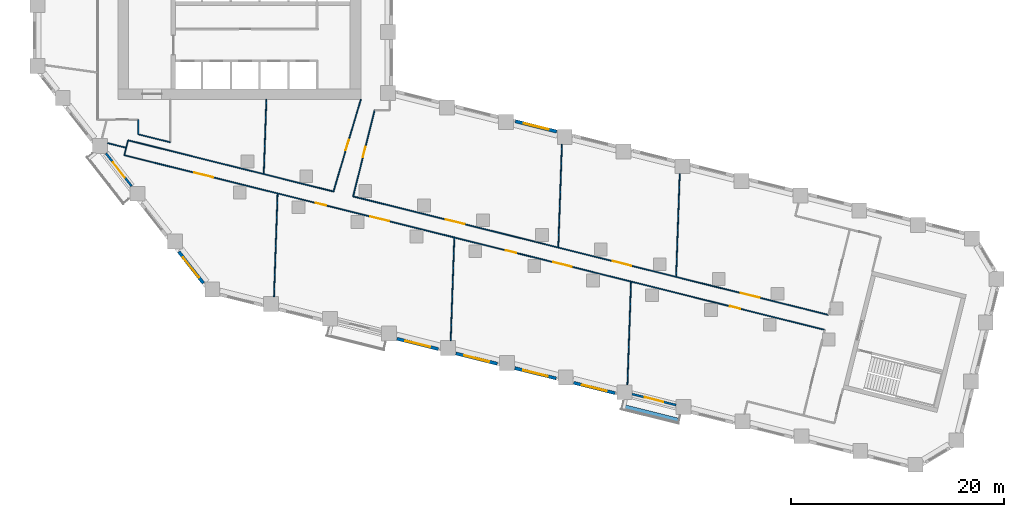
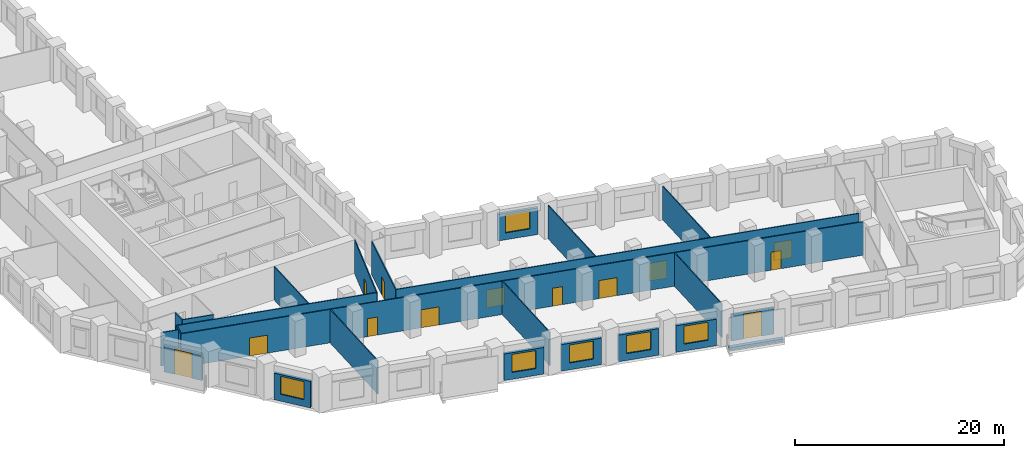
# One storey, part 3 of 11: 24 walls, 13 doors, 6 windows, 19 openings.
"""IFC4 building model written with IfcOpenShell, lengths in metres."""

from ifc_helpers import new_model, si_unit, direction, frame, frame_2d, origin, place, context, subcontext, project, spatial, rectangle, extrude, material, layer, layer_set, type_object, element, fill, save


model = new_model("IFC4")

# Units and contexts
model_context = context("Model", 3, precision=1e-05, world=origin(), true_north=direction((0.0, 1.0)))
body_context = subcontext(model_context, "Body", "Model", "MODEL_VIEW")
ifc_project = project(units=[si_unit("LENGTHUNIT", "METRE"), si_unit("AREAUNIT", "SQUARE_METRE"), si_unit("VOLUMEUNIT", "CUBIC_METRE"), si_unit("PLANEANGLEUNIT", "RADIAN"), si_unit("MASSUNIT", "GRAM", prefix="KILO")], contexts=[model_context])

# Site, building, storey
site_placement = place(None, origin())
site = spatial("IfcSite", under=ifc_project, at=site_placement, CompositionType="ELEMENT")
building_placement = place(site_placement, origin())
building = spatial("IfcBuilding", under=site, at=building_placement, Name="Meshkara Civic Tower", CompositionType="ELEMENT")
storey_placement = place(building_placement, frame((0.0, 0.0, 79.199951171875)))
storey = spatial("IfcBuildingStorey", under=building, at=storey_placement, Name="L17", CompositionType="ELEMENT", Elevation=79.199951171875)

# Wall, openings, doors
ifc_material_1 = material(Name="Corridor wall 100")
ifc_layer_1 = layer(ifc_material_1, 0.10009765625)
ifc_layer_set_1 = layer_set([ifc_layer_1], Name="Corridor wall 100")
wall_type_1 = type_object("IfcWallType", Name="Corridor wall 100", PredefinedType="PARTITIONING", material=ifc_layer_set_1)
wall_1_placement = place(storey_placement, frame((8.593994140625, 8.862060546875, 0.0), z_axis=(0.0, 0.0, 1.0), x_axis=(0.970293392615, -0.241931255211, 0.0)))
wall_1 = element("IfcWall", 1, at=wall_1_placement, inside=storey, type_object=wall_type_1, Name="L17-W007", PredefinedType="PARTITIONING", context=body_context, shape_type="SweptSolid", body=[
    extrude(rectangle(XDim=67.775390625, YDim=0.10009765625, at=frame_2d((33.8876953125, 0.0))), origin(), (0.0, 0.0, 1.0), 3.900146484375),
])
opening_1_placement = place(wall_1_placement, frame((36.910888671875, 0.0, 0.0)))
opening_1 = element("IfcOpeningElement", 2, at=opening_1_placement, cuts=wall_1, Name="Opening L17-D003", PredefinedType="OPENING", context=body_context, shape_type="SweptSolid", body=[
    extrude(rectangle(XDim=1.0, YDim=2.10009765625, at=frame_2d((0.5, 1.050048828125))), frame((0.0, 0.06005859375, 0.0), z_axis=(0.0, -1.0, 0.0), x_axis=(1.0, 0.0, 0.0)), (0.0, 0.0, 1.0), 0.1201171875),
])
opening_2_placement = place(wall_1_placement, frame((41.510986328125, 0.0, 0.0)))
opening_2 = element("IfcOpeningElement", 3, at=opening_2_placement, cuts=wall_1, Name="Opening L17-D004", PredefinedType="OPENING", context=body_context, shape_type="SweptSolid", body=[
    extrude(rectangle(XDim=1.800048828125, YDim=2.10009765625, at=frame_2d((0.89990234375, 1.050048828125))), frame((0.0, 0.06005859375, 0.0), z_axis=(0.0, -1.0, 0.0), x_axis=(1.0, 0.0, 0.0)), (0.0, 0.0, 1.0), 0.1201171875),
])
opening_3_placement = place(wall_1_placement, frame((58.611083984375, 0.0, 0.0)))
opening_3 = element("IfcOpeningElement", 4, at=opening_3_placement, cuts=wall_1, Name="Opening L17-D006", PredefinedType="OPENING", context=body_context, shape_type="SweptSolid", body=[
    extrude(rectangle(XDim=1.0, YDim=2.10009765625, at=frame_2d((0.5, 1.050048828125))), frame((0.0, 0.06005859375, 0.0), z_axis=(0.0, -1.0, 0.0), x_axis=(1.0, 0.0, 0.0)), (0.0, 0.0, 1.0), 0.1201171875),
])
opening_4_placement = place(wall_1_placement, frame((18.510986328125, 0.0, 0.0)))
opening_4 = element("IfcOpeningElement", 5, at=opening_4_placement, cuts=wall_1, Name="Opening L17-D009", PredefinedType="OPENING", context=body_context, shape_type="SweptSolid", body=[
    extrude(rectangle(XDim=1.0, YDim=2.10009765625, at=frame_2d((0.5, 1.050048828125))), frame((0.0, 0.06005859375, 0.0), z_axis=(0.0, -1.0, 0.0), x_axis=(1.0, 0.0, 0.0)), (0.0, 0.0, 1.0), 0.1201171875),
])
opening_5_placement = place(wall_1_placement, frame((23.81103515625, 0.0, 0.0)))
opening_5 = element("IfcOpeningElement", 6, at=opening_5_placement, cuts=wall_1, Name="Opening L17-D010", PredefinedType="OPENING", context=body_context, shape_type="SweptSolid", body=[
    extrude(rectangle(XDim=1.800048828125, YDim=2.10009765625, at=frame_2d((0.89990234375, 1.050048828125))), frame((0.0, 0.06005859375, 0.0), z_axis=(0.0, -1.0, 0.0), x_axis=(1.0, 0.0, 0.0)), (0.0, 0.0, 1.0), 0.1201171875),
])
opening_6_placement = place(wall_1_placement, frame((6.780029296875, 0.0, 0.0)))
opening_6 = element("IfcOpeningElement", 7, at=opening_6_placement, cuts=wall_1, Name="Opening L17-D013", PredefinedType="OPENING", context=body_context, shape_type="SweptSolid", body=[
    extrude(rectangle(XDim=1.800048828125, YDim=2.10009765625, at=frame_2d((0.89990234375, 1.050048828125))), frame((0.0, 0.06005859375, 0.0), z_axis=(0.0, -1.0, 0.0), x_axis=(1.0, 0.0, 0.0)), (0.0, 0.0, 1.0), 0.1201171875),
])
ifc_material_2 = material(Name="Door 1000 x 2100")
door_type_1 = type_object("IfcDoorType", Name="Door 1000 x 2100", OperationType="SINGLE_SWING_LEFT", PredefinedType="DOOR", material=ifc_material_2)
door_1_placement = place(opening_1_placement, origin())
door_1 = element("IfcDoor", 8, at=door_1_placement, inside=storey, type_object=door_type_1, Name="L17-D003", OperationType="SINGLE_SWING_RIGHT", OverallHeight=2.10009765625, OverallWidth=1.0, PredefinedType="DOOR", context=body_context, shape_type="SweptSolid", body=[
    extrude(rectangle(XDim=1.0, YDim=2.10009765625, at=frame_2d((0.5, 1.050048828125))), frame((0.0, 0.02490234375, 0.0), z_axis=(0.0, -1.0, 0.0), x_axis=(1.0, 0.0, 0.0)), (0.0, 0.0, 1.0), 0.050048828125),
])
fill(opening_1, door_1)
door_2_placement = place(opening_3_placement, origin())
door_2 = element("IfcDoor", 9, at=door_2_placement, inside=storey, type_object=door_type_1, Name="L17-D006", OperationType="SINGLE_SWING_LEFT", OverallHeight=2.10009765625, OverallWidth=1.0, PredefinedType="DOOR", context=body_context, shape_type="SweptSolid", body=[
    extrude(rectangle(XDim=1.0, YDim=2.10009765625, at=frame_2d((0.5, 1.050048828125))), frame((0.0, 0.02490234375, 0.0), z_axis=(0.0, -1.0, 0.0), x_axis=(1.0, 0.0, 0.0)), (0.0, 0.0, 1.0), 0.050048828125),
])
fill(opening_3, door_2)
door_3_placement = place(opening_4_placement, origin())
door_3 = element("IfcDoor", 10, at=door_3_placement, inside=storey, type_object=door_type_1, Name="L17-D009", OperationType="SINGLE_SWING_RIGHT", OverallHeight=2.10009765625, OverallWidth=1.0, PredefinedType="DOOR", context=body_context, shape_type="SweptSolid", body=[
    extrude(rectangle(XDim=1.0, YDim=2.10009765625, at=frame_2d((0.5, 1.050048828125))), frame((0.0, 0.02490234375, 0.0), z_axis=(0.0, -1.0, 0.0), x_axis=(1.0, 0.0, 0.0)), (0.0, 0.0, 1.0), 0.050048828125),
])
fill(opening_4, door_3)
ifc_material_3 = material(Name="Door pair 1800 x 2100")
door_type_2 = type_object("IfcDoorType", Name="Door pair 1800 x 2100", OperationType="SINGLE_SWING_LEFT", PredefinedType="DOOR", material=ifc_material_3)
door_4_placement = place(opening_2_placement, origin())
door_4 = element("IfcDoor", 11, at=door_4_placement, inside=storey, type_object=door_type_2, Name="L17-D004", OperationType="DOUBLE_DOOR_SINGLE_SWING", OverallHeight=2.10009765625, OverallWidth=1.800048828125, PredefinedType="DOOR", context=body_context, shape_type="SweptSolid", body=[
    extrude(rectangle(XDim=1.800048828125, YDim=2.10009765625, at=frame_2d((0.89990234375, 1.050048828125))), frame((0.0, 0.02490234375, 0.0), z_axis=(0.0, -1.0, 0.0), x_axis=(1.0, 0.0, 0.0)), (0.0, 0.0, 1.0), 0.050048828125),
])
fill(opening_2, door_4)
door_5_placement = place(opening_5_placement, origin())
door_5 = element("IfcDoor", 12, at=door_5_placement, inside=storey, type_object=door_type_2, Name="L17-D010", OperationType="DOUBLE_DOOR_SINGLE_SWING", OverallHeight=2.10009765625, OverallWidth=1.800048828125, PredefinedType="DOOR", context=body_context, shape_type="SweptSolid", body=[
    extrude(rectangle(XDim=1.800048828125, YDim=2.10009765625, at=frame_2d((0.89990234375, 1.050048828125))), frame((0.0, 0.02490234375, 0.0), z_axis=(0.0, -1.0, 0.0), x_axis=(1.0, 0.0, 0.0)), (0.0, 0.0, 1.0), 0.050048828125),
])
fill(opening_5, door_5)
door_6_placement = place(opening_6_placement, origin())
door_6 = element("IfcDoor", 13, at=door_6_placement, inside=storey, type_object=door_type_2, Name="L17-D013", OperationType="DOUBLE_DOOR_SINGLE_SWING", OverallHeight=2.10009765625, OverallWidth=1.800048828125, PredefinedType="DOOR", context=body_context, shape_type="SweptSolid", body=[
    extrude(rectangle(XDim=1.800048828125, YDim=2.10009765625, at=frame_2d((0.89990234375, 1.050048828125))), frame((0.0, 0.02490234375, 0.0), z_axis=(0.0, -1.0, 0.0), x_axis=(1.0, 0.0, 0.0)), (0.0, 0.0, 1.0), 0.050048828125),
])
fill(opening_6, door_6)

# Walls
wall_2_placement = place(storey_placement, frame((8.944091796875, 10.263916015625, 0.0), z_axis=(0.0, 0.0, 1.0), x_axis=(0.970300504447, -0.241902730595, 0.0)))
element("IfcWall", 14, at=wall_2_placement, inside=storey, type_object=wall_type_1, Name="L17-W008", PredefinedType="PARTITIONING", context=body_context, shape_type="SweptSolid", body=[
    extrude(rectangle(XDim=19.879150390625, YDim=0.10009765625, at=frame_2d((9.939453125, 0.0))), origin(), (0.0, 0.0, 1.0), 3.900146484375),
])
wall_3_placement = place(storey_placement, frame((8.944091796875, 10.263916015625, 0.0), z_axis=(0.0, 0.0, 1.0), x_axis=(-0.242297077633, -0.970202105837, 0.0)))
element("IfcWall", 15, at=wall_3_placement, inside=storey, type_object=wall_type_1, Name="L17-W009", PredefinedType="PARTITIONING", context=body_context, shape_type="SweptSolid", body=[
    extrude(rectangle(XDim=1.44482421875, YDim=0.10009765625, at=frame_2d((0.722412109375, 0.0))), origin(), (0.0, 0.0, 1.0), 3.900146484375),
])
wall_4_placement = place(storey_placement, frame((9.89990234375, 10.825927734375, 0.0), z_axis=(0.0, 0.0, 1.0), x_axis=(0.970290953223, -0.241941038466, 0.0)))
element("IfcWall", 16, at=wall_4_placement, inside=storey, type_object=wall_type_1, Name="L17-W010", PredefinedType="PARTITIONING", context=body_context, shape_type="SweptSolid", body=[
    extrude(rectangle(XDim=3.091796875, YDim=0.10009765625, at=frame_2d((1.5458984375, 0.0))), origin(), (0.0, 0.0, 1.0), 3.900146484375),
])
wall_5_placement = place(storey_placement, frame((9.89990234375, 12.199951171875, 0.0), z_axis=(0.0, 0.0, 1.0), x_axis=(0.0, -1.0, 0.0)))
element("IfcWall", 17, at=wall_5_placement, inside=storey, type_object=wall_type_1, Name="L17-W011", PredefinedType="PARTITIONING", context=body_context, shape_type="SweptSolid", body=[
    extrude(rectangle(XDim=1.3740234375, YDim=0.10009765625, at=frame_2d((0.68701171875, 0.0))), origin(), (0.0, 0.0, 1.0), 3.900146484375),
])

# Wall, openings, doors
wall_6_placement = place(storey_placement, frame((30.075927734375, 4.9951171875, 0.0), z_axis=(0.0, 0.0, 1.0), x_axis=(0.970296234935, -0.241919855469, 0.0)))
wall_6 = element("IfcWall", 18, at=wall_6_placement, inside=storey, type_object=wall_type_1, Name="L17-W020", PredefinedType="PARTITIONING", context=body_context, shape_type="SweptSolid", body=[
    extrude(rectangle(XDim=45.995361328125, YDim=0.10009765625, at=frame_2d((22.99755859375, 0.0))), origin(), (0.0, 0.0, 1.0), 3.900146484375),
])
opening_7_placement = place(wall_6_placement, frame((25.12109375, 0.0, 0.0)))
opening_7 = element("IfcOpeningElement", 19, at=opening_7_placement, cuts=wall_6, Name="Opening L17-D005", PredefinedType="OPENING", context=body_context, shape_type="SweptSolid", body=[
    extrude(rectangle(XDim=1.800048828125, YDim=2.10009765625, at=frame_2d((0.89990234375, 1.050048828125))), frame((0.0, 0.06005859375, 0.0), z_axis=(0.0, -1.0, 0.0), x_axis=(1.0, 0.0, 0.0)), (0.0, 0.0, 1.0), 0.1201171875),
])
opening_8_placement = place(wall_6_placement, frame((37.52001953125, 0.0, 0.0)))
opening_8 = element("IfcOpeningElement", 20, at=opening_8_placement, cuts=wall_6, Name="Opening L17-D007", PredefinedType="OPENING", context=body_context, shape_type="SweptSolid", body=[
    extrude(rectangle(XDim=1.800048828125, YDim=2.10009765625, at=frame_2d((0.89990234375, 1.050048828125))), frame((0.0, 0.06005859375, 0.0), z_axis=(0.0, -1.0, 0.0), x_axis=(1.0, 0.0, 0.0)), (0.0, 0.0, 1.0), 0.1201171875),
])
opening_9_placement = place(wall_6_placement, frame((8.97998046875, 0.0, 0.0)))
opening_9 = element("IfcOpeningElement", 21, at=opening_9_placement, cuts=wall_6, Name="Opening L17-D011", PredefinedType="OPENING", context=body_context, shape_type="SweptSolid", body=[
    extrude(rectangle(XDim=1.800048828125, YDim=2.10009765625, at=frame_2d((0.89990234375, 1.050048828125))), frame((0.0, 0.06005859375, 0.0), z_axis=(0.0, -1.0, 0.0), x_axis=(1.0, 0.0, 0.0)), (0.0, 0.0, 1.0), 0.1201171875),
])
door_7_placement = place(opening_7_placement, origin())
door_7 = element("IfcDoor", 22, at=door_7_placement, inside=storey, type_object=door_type_2, Name="L17-D005", OperationType="DOUBLE_DOOR_SINGLE_SWING", OverallHeight=2.10009765625, OverallWidth=1.800048828125, PredefinedType="DOOR", context=body_context, shape_type="SweptSolid", body=[
    extrude(rectangle(XDim=1.800048828125, YDim=2.10009765625, at=frame_2d((0.89990234375, 1.050048828125))), frame((0.0, 0.02490234375, 0.0), z_axis=(0.0, -1.0, 0.0), x_axis=(1.0, 0.0, 0.0)), (0.0, 0.0, 1.0), 0.050048828125),
])
fill(opening_7, door_7)
door_8_placement = place(opening_8_placement, origin())
door_8 = element("IfcDoor", 23, at=door_8_placement, inside=storey, type_object=door_type_2, Name="L17-D007", OperationType="DOUBLE_DOOR_SINGLE_SWING", OverallHeight=2.10009765625, OverallWidth=1.800048828125, PredefinedType="DOOR", context=body_context, shape_type="SweptSolid", body=[
    extrude(rectangle(XDim=1.800048828125, YDim=2.10009765625, at=frame_2d((0.89990234375, 1.050048828125))), frame((0.0, 0.02490234375, 0.0), z_axis=(0.0, -1.0, 0.0), x_axis=(1.0, 0.0, 0.0)), (0.0, 0.0, 1.0), 0.050048828125),
])
fill(opening_8, door_8)
door_9_placement = place(opening_9_placement, origin())
door_9 = element("IfcDoor", 24, at=door_9_placement, inside=storey, type_object=door_type_2, Name="L17-D011", OperationType="DOUBLE_DOOR_SINGLE_SWING", OverallHeight=2.10009765625, OverallWidth=1.800048828125, PredefinedType="DOOR", context=body_context, shape_type="SweptSolid", body=[
    extrude(rectangle(XDim=1.800048828125, YDim=2.10009765625, at=frame_2d((0.89990234375, 1.050048828125))), frame((0.0, 0.02490234375, 0.0), z_axis=(0.0, -1.0, 0.0), x_axis=(1.0, 0.0, 0.0)), (0.0, 0.0, 1.0), 0.050048828125),
])
fill(opening_9, door_9)

# Wall, opening, door
wall_7_placement = place(storey_placement, frame((30.075927734375, 4.9951171875, 0.0), z_axis=(0.0, 0.0, 1.0), x_axis=(0.241944155572, 0.97029017597, 0.0)))
wall_7 = element("IfcWall", 25, at=wall_7_placement, inside=storey, type_object=wall_type_1, Name="L17-W021", PredefinedType="PARTITIONING", context=body_context, shape_type="SweptSolid", body=[
    extrude(rectangle(XDim=8.353271484375, YDim=0.10009765625, at=frame_2d((4.1767578125, 0.0))), origin(), (0.0, 0.0, 1.0), 3.900146484375),
])
opening_10_placement = place(wall_7_placement, frame((3.780029296875, 0.0, 0.0)))
opening_10 = element("IfcOpeningElement", 26, at=opening_10_placement, cuts=wall_7, Name="Opening L17-D015", PredefinedType="OPENING", context=body_context, shape_type="SweptSolid", body=[
    extrude(rectangle(XDim=1.0, YDim=2.10009765625, at=frame_2d((0.5, 1.050048828125))), frame((0.0, 0.06005859375, 0.0), z_axis=(0.0, -1.0, 0.0), x_axis=(1.0, 0.0, 0.0)), (0.0, 0.0, 1.0), 0.1201171875),
])
door_10_placement = place(opening_10_placement, origin())
door_10 = element("IfcDoor", 27, at=door_10_placement, inside=storey, type_object=door_type_1, Name="L17-D015", OperationType="SINGLE_SWING_LEFT", OverallHeight=2.10009765625, OverallWidth=1.0, PredefinedType="DOOR", context=body_context, shape_type="SweptSolid", body=[
    extrude(rectangle(XDim=1.0, YDim=2.10009765625, at=frame_2d((0.5, 1.050048828125))), frame((0.0, 0.02490234375, 0.0), z_axis=(0.0, -1.0, 0.0), x_axis=(1.0, 0.0, 0.0)), (0.0, 0.0, 1.0), 0.050048828125),
])
fill(opening_10, door_10)

wall_8_placement = place(storey_placement, frame((30.800048828125, 14.10009765625, 0.0), z_axis=(0.0, 0.0, 1.0), x_axis=(-0.284664373847, -0.95862724469, 0.0)))
wall_8 = element("IfcWall", 28, at=wall_8_placement, inside=storey, type_object=wall_type_1, Name="L17-W022", PredefinedType="PARTITIONING", context=body_context, shape_type="SweptSolid", body=[
    extrude(rectangle(XDim=9.01806640625, YDim=0.10009765625, at=frame_2d((4.509033203125, 0.0))), origin(), (0.0, 0.0, 1.0), 3.900146484375),
])
opening_11_placement = place(wall_8_placement, frame((3.97998046875, 0.0, 0.0)))
opening_11 = element("IfcOpeningElement", 29, at=opening_11_placement, cuts=wall_8, Name="Opening L17-D014", PredefinedType="OPENING", context=body_context, shape_type="SweptSolid", body=[
    extrude(rectangle(XDim=1.0, YDim=2.10009765625, at=frame_2d((0.5, 1.050048828125))), frame((0.0, 0.06005859375, 0.0), z_axis=(0.0, -1.0, 0.0), x_axis=(1.0, 0.0, 0.0)), (0.0, 0.0, 1.0), 0.1201171875),
])
door_11_placement = place(opening_11_placement, origin())
door_11 = element("IfcDoor", 30, at=door_11_placement, inside=storey, type_object=door_type_1, Name="L17-D014", OperationType="SINGLE_SWING_RIGHT", OverallHeight=2.10009765625, OverallWidth=1.0, PredefinedType="DOOR", context=body_context, shape_type="SweptSolid", body=[
    extrude(rectangle(XDim=1.0, YDim=2.10009765625, at=frame_2d((0.5, 1.050048828125))), frame((0.0, 0.02490234375, 0.0), z_axis=(0.0, -1.0, 0.0), x_axis=(1.0, 0.0, 0.0)), (0.0, 0.0, 1.0), 0.050048828125),
])
fill(opening_11, door_11)

# Wall, opening, window
ifc_material_4 = material(Name="Insulated infill panel with bronze anodised aluminium cladding", Category="aluminium")
ifc_layer_2 = layer(ifc_material_4, 0.300048828125)
ifc_layer_set_2 = layer_set([ifc_layer_2], Name="EXTERNAL INFILL WALL 300")
wall_type_2 = type_object("IfcWallType", Name="EXTERNAL INFILL WALL 300", PredefinedType="SOLIDWALL", material=ifc_layer_set_2)
wall_9_placement = place(storey_placement, frame((49.19091796875, 11.0791015625, 0.0), z_axis=(0.0, 0.0, 1.0), x_axis=(-0.970318045095, 0.24183236211, 0.0)))
wall_9 = element("IfcWall", 31, at=wall_9_placement, inside=storey, type_object=wall_type_2, Name="External wall", PredefinedType="SOLIDWALL", context=body_context, shape_type="SweptSolid", body=[
    extrude(rectangle(XDim=4.0029296875, YDim=0.300048828125, at=frame_2d((2.00146484375, 0.0))), origin(), (0.0, 0.0, 1.0), 3.10009765625),
])
opening_12_placement = place(wall_9_placement, frame((0.802001953125, 0.0, 0.800048828125)))
opening_12 = element("IfcOpeningElement", 32, at=opening_12_placement, cuts=wall_9, Name="Opening W7", PredefinedType="OPENING", context=body_context, shape_type="SweptSolid", body=[
    extrude(rectangle(XDim=2.39990234375, YDim=2.10009765625, at=frame_2d((1.199951171875, 1.050048828125))), frame((0.0, 0.159912109375, 0.0), z_axis=(0.0, -1.0, 0.0), x_axis=(1.0, 0.0, 0.0)), (0.0, 0.0, 1.0), 0.320068359375),
])
ifc_material_5 = material(Name="Tinted double glazing", Category="glass")
window_type = type_object("IfcWindowType", Name="WINDOW 2400x2100", PartitioningType="DOUBLE_PANEL_VERTICAL", PredefinedType="WINDOW", material=ifc_material_5)
window_1_placement = place(opening_12_placement, origin())
window_1 = element("IfcWindow", 33, at=window_1_placement, inside=storey, type_object=window_type, Name="Window", OverallHeight=2.10009765625, OverallWidth=2.39990234375, PartitioningType="DOUBLE_PANEL_VERTICAL", PredefinedType="WINDOW", context=body_context, shape_type="SweptSolid", body=[
    extrude(rectangle(XDim=2.39990234375, YDim=2.10009765625, at=frame_2d((1.199951171875, 1.050048828125))), frame((0.0, 0.030029296875, 0.0), z_axis=(0.0, -1.0, 0.0), x_axis=(1.0, 0.0, 0.0)), (0.0, 0.0, 1.0), 0.06005859375),
])
fill(opening_12, window_1)

wall_10_placement = place(storey_placement, frame((13.7099609375, -0.205078125, 0.0), z_axis=(0.0, 0.0, 1.0), x_axis=(0.615798780214, -0.787903460004, 0.0)))
wall_10 = element("IfcWall", 34, at=wall_10_placement, inside=storey, type_object=wall_type_2, Name="External wall", PredefinedType="SOLIDWALL", context=body_context, shape_type="SweptSolid", body=[
    extrude(rectangle(XDim=3.735107421875, YDim=0.300048828125, at=frame_2d((1.86767578125, 0.0))), origin(), (0.0, 0.0, 1.0), 3.10009765625),
])
opening_13_placement = place(wall_10_placement, frame((0.6669921875, 0.0, 0.800048828125)))
opening_13 = element("IfcOpeningElement", 35, at=opening_13_placement, cuts=wall_10, Name="Opening W7", PredefinedType="OPENING", context=body_context, shape_type="SweptSolid", body=[
    extrude(rectangle(XDim=2.39990234375, YDim=2.10009765625, at=frame_2d((1.199951171875, 1.050048828125))), frame((0.0, 0.159912109375, 0.0), z_axis=(0.0, -1.0, 0.0), x_axis=(1.0, 0.0, 0.0)), (0.0, 0.0, 1.0), 0.320068359375),
])
window_2_placement = place(opening_13_placement, origin())
window_2 = element("IfcWindow", 36, at=window_2_placement, inside=storey, type_object=window_type, Name="Window", OverallHeight=2.10009765625, OverallWidth=2.39990234375, PartitioningType="DOUBLE_PANEL_VERTICAL", PredefinedType="WINDOW", context=body_context, shape_type="SweptSolid", body=[
    extrude(rectangle(XDim=2.39990234375, YDim=2.10009765625, at=frame_2d((1.199951171875, 1.050048828125))), frame((0.0, 0.030029296875, 0.0), z_axis=(0.0, -1.0, 0.0), x_axis=(1.0, 0.0, 0.0)), (0.0, 0.0, 1.0), 0.06005859375),
])
fill(opening_13, window_2)

wall_11_placement = place(storey_placement, frame((34.194091796875, -8.37109375, 0.0), z_axis=(0.0, 0.0, 1.0), x_axis=(0.970314477803, -0.241846674911, 0.0)))
wall_11 = element("IfcWall", 37, at=wall_11_placement, inside=storey, type_object=wall_type_2, Name="External wall", PredefinedType="SOLIDWALL", context=body_context, shape_type="SweptSolid", body=[
    extrude(rectangle(XDim=4.002685546875, YDim=0.300048828125, at=frame_2d((2.00146484375, 0.0))), origin(), (0.0, 0.0, 1.0), 3.10009765625),
])
opening_14_placement = place(wall_11_placement, frame((0.802001953125, 0.0, 0.800048828125)))
opening_14 = element("IfcOpeningElement", 38, at=opening_14_placement, cuts=wall_11, Name="Opening W7", PredefinedType="OPENING", context=body_context, shape_type="SweptSolid", body=[
    extrude(rectangle(XDim=2.39990234375, YDim=2.10009765625, at=frame_2d((1.199951171875, 1.050048828125))), frame((0.0, 0.159912109375, 0.0), z_axis=(0.0, -1.0, 0.0), x_axis=(1.0, 0.0, 0.0)), (0.0, 0.0, 1.0), 0.320068359375),
])
window_3_placement = place(opening_14_placement, origin())
window_3 = element("IfcWindow", 39, at=window_3_placement, inside=storey, type_object=window_type, Name="Window", OverallHeight=2.10009765625, OverallWidth=2.39990234375, PartitioningType="DOUBLE_PANEL_VERTICAL", PredefinedType="WINDOW", context=body_context, shape_type="SweptSolid", body=[
    extrude(rectangle(XDim=2.39990234375, YDim=2.10009765625, at=frame_2d((1.199951171875, 1.050048828125))), frame((0.0, 0.030029296875, 0.0), z_axis=(0.0, -1.0, 0.0), x_axis=(1.0, 0.0, 0.0)), (0.0, 0.0, 1.0), 0.06005859375),
])
fill(opening_14, window_3)

wall_12_placement = place(storey_placement, frame((39.72509765625, -9.75, 0.0), z_axis=(0.0, 0.0, 1.0), x_axis=(0.970314477803, -0.241846674911, 0.0)))
wall_12 = element("IfcWall", 40, at=wall_12_placement, inside=storey, type_object=wall_type_2, Name="External wall", PredefinedType="SOLIDWALL", context=body_context, shape_type="SweptSolid", body=[
    extrude(rectangle(XDim=4.002685546875, YDim=0.300048828125, at=frame_2d((2.00146484375, 0.0))), origin(), (0.0, 0.0, 1.0), 3.10009765625),
])
opening_15_placement = place(wall_12_placement, frame((0.801025390625, 0.0, 0.800048828125)))
opening_15 = element("IfcOpeningElement", 41, at=opening_15_placement, cuts=wall_12, Name="Opening W7", PredefinedType="OPENING", context=body_context, shape_type="SweptSolid", body=[
    extrude(rectangle(XDim=2.39990234375, YDim=2.10009765625, at=frame_2d((1.199951171875, 1.050048828125))), frame((0.0, 0.159912109375, 0.0), z_axis=(0.0, -1.0, 0.0), x_axis=(1.0, 0.0, 0.0)), (0.0, 0.0, 1.0), 0.320068359375),
])
window_4_placement = place(opening_15_placement, origin())
window_4 = element("IfcWindow", 42, at=window_4_placement, inside=storey, type_object=window_type, Name="Window", OverallHeight=2.10009765625, OverallWidth=2.39990234375, PartitioningType="DOUBLE_PANEL_VERTICAL", PredefinedType="WINDOW", context=body_context, shape_type="SweptSolid", body=[
    extrude(rectangle(XDim=2.39990234375, YDim=2.10009765625, at=frame_2d((1.199951171875, 1.050048828125))), frame((0.0, 0.030029296875, 0.0), z_axis=(0.0, -1.0, 0.0), x_axis=(1.0, 0.0, 0.0)), (0.0, 0.0, 1.0), 0.06005859375),
])
fill(opening_15, window_4)

wall_13_placement = place(storey_placement, frame((45.256103515625, -11.12890625, 0.0), z_axis=(0.0, 0.0, 1.0), x_axis=(0.970300202301, -0.241903942538, 0.0)))
wall_13 = element("IfcWall", 43, at=wall_13_placement, inside=storey, type_object=wall_type_2, Name="External wall", PredefinedType="SOLIDWALL", context=body_context, shape_type="SweptSolid", body=[
    extrude(rectangle(XDim=4.001708984375, YDim=0.300048828125, at=frame_2d((2.0009765625, 0.0))), origin(), (0.0, 0.0, 1.0), 3.10009765625),
])
opening_16_placement = place(wall_13_placement, frame((0.801025390625, 0.0, 0.800048828125)))
opening_16 = element("IfcOpeningElement", 44, at=opening_16_placement, cuts=wall_13, Name="Opening W7", PredefinedType="OPENING", context=body_context, shape_type="SweptSolid", body=[
    extrude(rectangle(XDim=2.39990234375, YDim=2.10009765625, at=frame_2d((1.199951171875, 1.050048828125))), frame((0.0, 0.159912109375, 0.0), z_axis=(0.0, -1.0, 0.0), x_axis=(1.0, 0.0, 0.0)), (0.0, 0.0, 1.0), 0.320068359375),
])
window_5_placement = place(opening_16_placement, origin())
window_5 = element("IfcWindow", 45, at=window_5_placement, inside=storey, type_object=window_type, Name="Window", OverallHeight=2.10009765625, OverallWidth=2.39990234375, PartitioningType="DOUBLE_PANEL_VERTICAL", PredefinedType="WINDOW", context=body_context, shape_type="SweptSolid", body=[
    extrude(rectangle(XDim=2.39990234375, YDim=2.10009765625, at=frame_2d((1.199951171875, 1.050048828125))), frame((0.0, 0.030029296875, 0.0), z_axis=(0.0, -1.0, 0.0), x_axis=(1.0, 0.0, 0.0)), (0.0, 0.0, 1.0), 0.06005859375),
])
fill(opening_16, window_5)

wall_14_placement = place(storey_placement, frame((50.785888671875, -12.508056640625, 0.0), z_axis=(0.0, 0.0, 1.0), x_axis=(0.970318045095, -0.24183236211, 0.0)))
wall_14 = element("IfcWall", 46, at=wall_14_placement, inside=storey, type_object=wall_type_2, Name="External wall", PredefinedType="SOLIDWALL", context=body_context, shape_type="SweptSolid", body=[
    extrude(rectangle(XDim=4.0029296875, YDim=0.300048828125, at=frame_2d((2.00146484375, 0.0))), origin(), (0.0, 0.0, 1.0), 3.10009765625),
])
opening_17_placement = place(wall_14_placement, frame((0.802001953125, 0.0, 0.800048828125)))
opening_17 = element("IfcOpeningElement", 47, at=opening_17_placement, cuts=wall_14, Name="Opening W7", PredefinedType="OPENING", context=body_context, shape_type="SweptSolid", body=[
    extrude(rectangle(XDim=2.39990234375, YDim=2.10009765625, at=frame_2d((1.199951171875, 1.050048828125))), frame((0.0, 0.159912109375, 0.0), z_axis=(0.0, -1.0, 0.0), x_axis=(1.0, 0.0, 0.0)), (0.0, 0.0, 1.0), 0.320068359375),
])
window_6_placement = place(opening_17_placement, origin())
window_6 = element("IfcWindow", 48, at=window_6_placement, inside=storey, type_object=window_type, Name="Window", OverallHeight=2.10009765625, OverallWidth=2.39990234375, PartitioningType="DOUBLE_PANEL_VERTICAL", PredefinedType="WINDOW", context=body_context, shape_type="SweptSolid", body=[
    extrude(rectangle(XDim=2.39990234375, YDim=2.10009765625, at=frame_2d((1.199951171875, 1.050048828125))), frame((0.0, 0.030029296875, 0.0), z_axis=(0.0, -1.0, 0.0), x_axis=(1.0, 0.0, 0.0)), (0.0, 0.0, 1.0), 0.06005859375),
])
fill(opening_17, window_6)

# Wall, opening, door
ifc_material_6 = material(Name="Insulated infill panel with bronze anodised aluminium cladding", Category="aluminium")
ifc_layer_3 = layer(ifc_material_6, 0.199951171875)
ifc_layer_set_3 = layer_set([ifc_layer_3], Name="LOGGIA BACK WALL 200")
wall_type_3 = type_object("IfcWallType", Name="LOGGIA BACK WALL 200", PredefinedType="SOLIDWALL", material=ifc_layer_set_3)
wall_15_placement = place(storey_placement, frame((6.87109375, 9.037109375, 0.0), z_axis=(0.0, 0.0, 1.0), x_axis=(0.615507574125, -0.788130970204, 0.0)))
wall_15 = element("IfcWall", 49, at=wall_15_placement, inside=storey, type_object=wall_type_3, Name="Loggia wall", PredefinedType="SOLIDWALL", context=body_context, shape_type="SweptSolid", body=[
    extrude(rectangle(XDim=3.92333984375, YDim=0.199951171875, at=frame_2d((1.961669921875, 0.0))), origin(), (0.0, 0.0, 1.0), 3.10009765625),
])
opening_18_placement = place(wall_15_placement, frame((1.06103515625, 0.0, 0.0)))
opening_18 = element("IfcOpeningElement", 50, at=opening_18_placement, cuts=wall_15, Name="Opening L17-L003", PredefinedType="OPENING", context=body_context, shape_type="SweptSolid", body=[
    extrude(rectangle(XDim=1.800048828125, YDim=2.89990234375, at=frame_2d((0.89990234375, 1.449951171875))), frame((0.0, 0.10986328125, 0.0), z_axis=(0.0, -1.0, 0.0), x_axis=(1.0, 0.0, 0.0)), (0.0, 0.0, 1.0), 0.219970703125),
])
ifc_material_7 = material(Name="Tinted double glazing", Category="glass")
door_type_3 = type_object("IfcDoorType", Name="LOGGIA DOOR 1800x2900", OperationType="DOUBLE_DOOR_SINGLE_SWING", PredefinedType="DOOR", material=ifc_material_7)
door_12_placement = place(opening_18_placement, origin())
door_12 = element("IfcDoor", 51, at=door_12_placement, inside=storey, type_object=door_type_3, Name="L17-L003", OperationType="DOUBLE_DOOR_SINGLE_SWING", OverallHeight=2.89990234375, OverallWidth=1.800048828125, PredefinedType="DOOR", context=body_context, shape_type="SweptSolid", body=[
    extrude(rectangle(XDim=1.800048828125, YDim=2.89990234375, at=frame_2d((0.89990234375, 1.449951171875))), frame((0.0, 0.02490234375, 0.0), z_axis=(0.0, -1.0, 0.0), x_axis=(1.0, 0.0, 0.0)), (0.0, 0.0, 1.0), 0.050048828125),
])
fill(opening_18, door_12)

wall_16_placement = place(storey_placement, frame((56.26611328125, -13.56494140625, 0.0), z_axis=(0.0, 0.0, 1.0), x_axis=(0.970290742877, -0.241941882045, 0.0)))
wall_16 = element("IfcWall", 52, at=wall_16_placement, inside=storey, type_object=wall_type_3, Name="Loggia wall", PredefinedType="SOLIDWALL", context=body_context, shape_type="SweptSolid", body=[
    extrude(rectangle(XDim=4.25732421875, YDim=0.199951171875, at=frame_2d((2.128662109375, 0.0))), origin(), (0.0, 0.0, 1.0), 3.10009765625),
])
opening_19_placement = place(wall_16_placement, frame((1.22802734375, 0.0, 0.0)))
opening_19 = element("IfcOpeningElement", 53, at=opening_19_placement, cuts=wall_16, Name="Opening L17-L005", PredefinedType="OPENING", context=body_context, shape_type="SweptSolid", body=[
    extrude(rectangle(XDim=1.800048828125, YDim=2.89990234375, at=frame_2d((0.89990234375, 1.449951171875))), frame((0.0, 0.10986328125, 0.0), z_axis=(0.0, -1.0, 0.0), x_axis=(1.0, 0.0, 0.0)), (0.0, 0.0, 1.0), 0.219970703125),
])
door_13_placement = place(opening_19_placement, origin())
door_13 = element("IfcDoor", 54, at=door_13_placement, inside=storey, type_object=door_type_3, Name="L17-L005", OperationType="DOUBLE_DOOR_SINGLE_SWING", OverallHeight=2.89990234375, OverallWidth=1.800048828125, PredefinedType="DOOR", context=body_context, shape_type="SweptSolid", body=[
    extrude(rectangle(XDim=1.800048828125, YDim=2.89990234375, at=frame_2d((0.89990234375, 1.449951171875))), frame((0.0, 0.02490234375, 0.0), z_axis=(0.0, -1.0, 0.0), x_axis=(1.0, 0.0, 0.0)), (0.0, 0.0, 1.0), 0.050048828125),
])
fill(opening_19, door_13)

# Walls
ifc_material_8 = material(Name="Concrete C40", Category="concrete")
ifc_layer_4 = layer(ifc_material_8, 0.39990234375)
ifc_layer_set_4 = layer_set([ifc_layer_4], Name="PLANTER TRAY")
wall_type_4 = type_object("IfcWallType", Name="PLANTER TRAY", PredefinedType="SOLIDWALL", material=ifc_layer_set_4)
wall_17_placement = place(storey_placement, frame((55.408935546875, -14.721923828125, 0.0), z_axis=(0.0, 0.0, 1.0), x_axis=(0.970281652924, -0.241978333739, 0.0)))
element("IfcWall", 55, at=wall_17_placement, inside=storey, type_object=wall_type_4, Name="Planter", PredefinedType="SOLIDWALL", context=body_context, shape_type="SweptSolid", body=[
    extrude(rectangle(XDim=5.360595703125, YDim=0.39990234375, at=frame_2d((2.68017578125, 0.0))), origin(), (0.0, 0.0, 1.0), 0.300048828125),
])
ifc_material_9 = material(Name="Partition 100")
ifc_layer_5 = layer(ifc_material_9, 0.10009765625)
ifc_layer_set_5 = layer_set([ifc_layer_5], Name="Partition 100")
wall_type_5 = type_object("IfcWallType", Name="Partition 100", PredefinedType="PARTITIONING", material=ifc_layer_set_5)
wall_18_placement = place(storey_placement, frame((8.719970703125, 9.573974609375, 0.0), z_axis=(0.0, 0.0, 1.0), x_axis=(-0.97016712555, 0.242437102155, 0.0)))
element("IfcWall", 56, at=wall_18_placement, inside=storey, type_object=wall_type_5, Name="L17-W038", PredefinedType="PARTITIONING", context=body_context, shape_type="SweptSolid", body=[
    extrude(rectangle(XDim=1.749267578125, YDim=0.10009765625, at=frame_2d((0.87451171875, 0.0))), origin(), (0.0, 0.0, 1.0), 3.900146484375),
])
wall_19_placement = place(storey_placement, frame((21.68896484375, 7.14892578125, 0.0), z_axis=(0.0, 0.0, 1.0), x_axis=(0.03492529419, 0.999389925818, 0.0)))
element("IfcWall", 57, at=wall_19_placement, inside=storey, type_object=wall_type_5, Name="L17-W045", PredefinedType="PARTITIONING", context=body_context, shape_type="SweptSolid", body=[
    extrude(rectangle(XDim=6.955322265625, YDim=0.10009765625, at=frame_2d((3.4775390625, 0.0))), origin(), (0.0, 0.0, 1.0), 3.900146484375),
])
for number, where, z_axis, x_axis, name in (
    (58, (22.64599609375, -4.4169921875, 0.0), (0.0, 0.0, 1.0), (0.03486722434, 0.999391953473, 0.0), "L17-W046"),
    (59, (39.238037109375, -8.553955078125, 0.0), (0.0, 0.0, 1.0), (0.03486722434, 0.999391953473, 0.0), "L17-W047"),
):
    element("IfcWall", number, at=place(storey_placement, frame(where, z_axis=z_axis, x_axis=x_axis)), inside=storey, type_object=wall_type_5, Name=name, PredefinedType="PARTITIONING", context=body_context, shape_type="SweptSolid", body=[
        extrude(rectangle(XDim=9.634765625, YDim=0.10009765625, at=frame_2d((4.8173828125, 0.0))), origin(), (0.0, 0.0, 1.0), 3.900146484375),
    ])
wall_20_placement = place(storey_placement, frame((49.342041015625, 0.25390625, 0.0), z_axis=(0.0, 0.0, 1.0), x_axis=(0.034971115612, 0.999388323462, 0.0)))
element("IfcWall", 60, at=wall_20_placement, inside=storey, type_object=wall_type_5, Name="L17-W048", PredefinedType="PARTITIONING", context=body_context, shape_type="SweptSolid", body=[
    extrude(rectangle(XDim=9.634033203125, YDim=0.10009765625, at=frame_2d((4.81689453125, 0.0))), origin(), (0.0, 0.0, 1.0), 3.900146484375),
])
for number, where, z_axis, x_axis, name in (
    (61, (55.830078125, -12.68994140625, 0.0), (0.0, 0.0, 1.0), (0.034870756628, 0.999391830231, 0.0), "L17-W049"),
    (62, (60.403076171875, -2.50390625, 0.0), (0.0, 0.0, 1.0), (0.034972001309, 0.999388292469, 0.0), "L17-W050"),
):
    element("IfcWall", number, at=place(storey_placement, frame(where, z_axis=z_axis, x_axis=x_axis)), inside=storey, type_object=wall_type_5, Name=name, PredefinedType="PARTITIONING", context=body_context, shape_type="SweptSolid", body=[
        extrude(rectangle(XDim=9.6337890625, YDim=0.10009765625, at=frame_2d((4.81689453125, 0.0))), origin(), (0.0, 0.0, 1.0), 3.900146484375),
    ])

save(model, "model.ifc")
